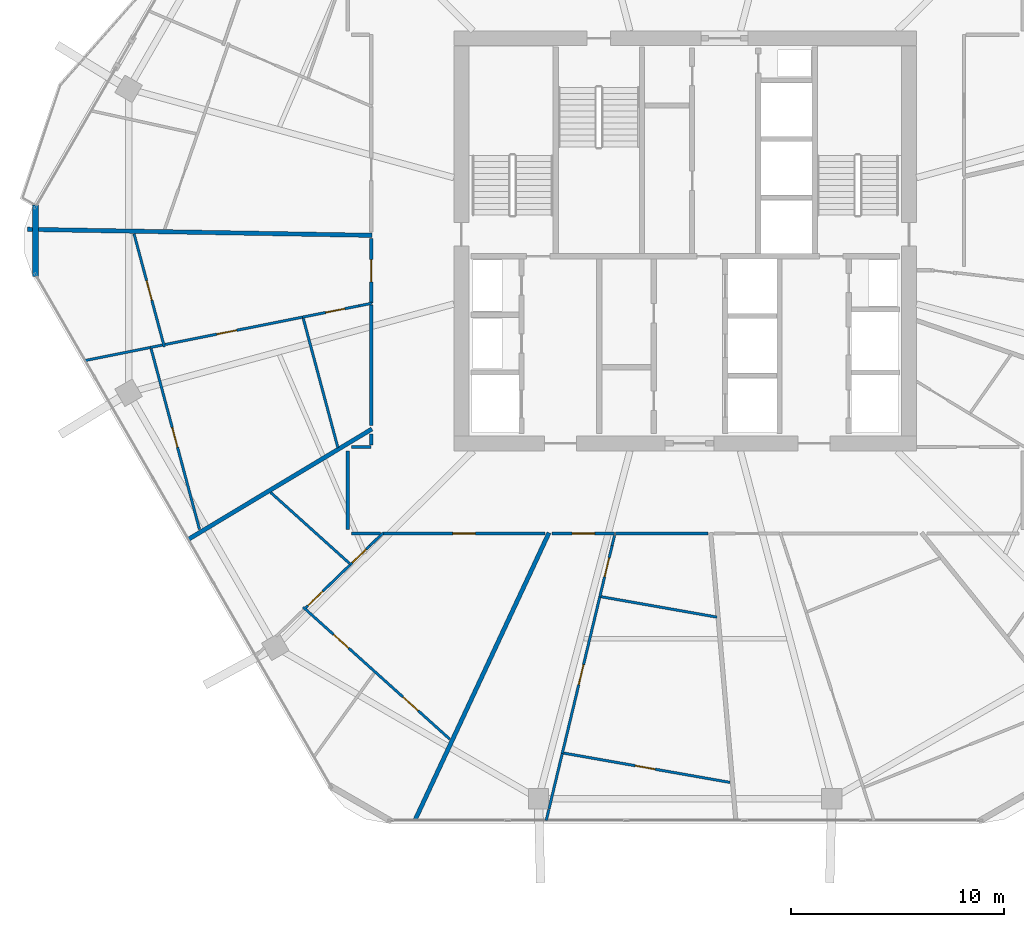
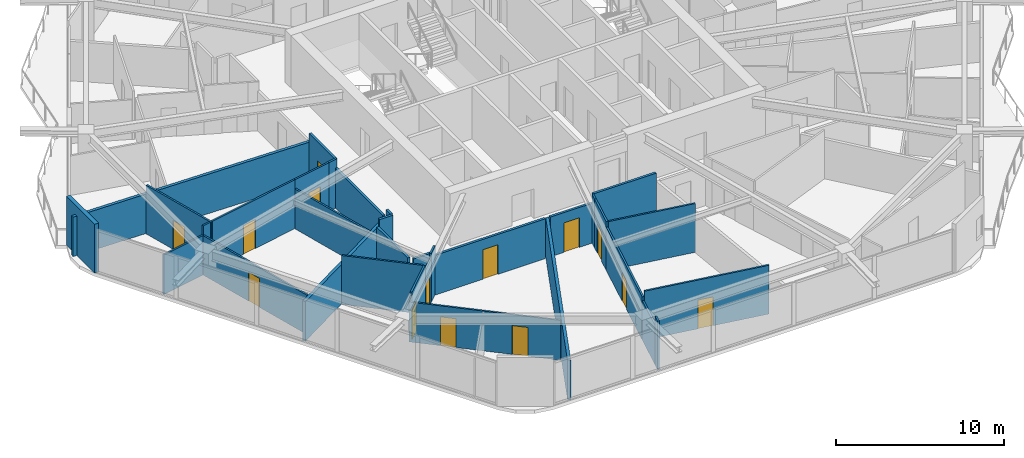
# One storey, part 17 of 26: 33 walls, 14 doors, 14 openings.
"""IFC4 building model written with IfcOpenShell, lengths in metres."""

from ifc_helpers import new_model, si_unit, direction, frame, frame_2d, origin, place, context, subcontext, project, spatial, rectangle, extrude, material, layer, layer_set, type_object, element, fill, save


model = new_model("IFC4")

# Units and contexts
model_context = context("Model", 3, precision=1e-05, world=origin(), true_north=direction((0.0, 1.0)))
body_context = subcontext(model_context, "Body", "Model", "MODEL_VIEW")
ifc_project = project(units=[si_unit("LENGTHUNIT", "METRE"), si_unit("AREAUNIT", "SQUARE_METRE"), si_unit("VOLUMEUNIT", "CUBIC_METRE"), si_unit("PLANEANGLEUNIT", "RADIAN"), si_unit("MASSUNIT", "GRAM", prefix="KILO")], contexts=[model_context])

# Site, building, storey
site_placement = place(None, origin())
site = spatial("IfcSite", under=ifc_project, at=site_placement, CompositionType="ELEMENT")
building_placement = place(site_placement, origin())
building = spatial("IfcBuilding", under=site, at=building_placement, Name="Zuhravey Tower", CompositionType="ELEMENT")
storey_placement = place(building_placement, frame((0.0, 0.0, 211.199951171875)))
storey = spatial("IfcBuildingStorey", under=building, at=storey_placement, Name="L53", CompositionType="ELEMENT", Elevation=211.199951171875)

# Wall, opening, door
ifc_material_1 = material(Name="Gypsum fire-rated stud partition")
ifc_layer_1 = layer(ifc_material_1, 0.159912109375)
ifc_layer_set_1 = layer_set([ifc_layer_1], Name="Gypsum fire-rated stud partition")
wall_type_1 = type_object("IfcWallType", Name="Corridor Fire Partition 160", PredefinedType="PARTITIONING", material=ifc_layer_set_1)
wall_1_placement = place(storey_placement, frame((21.27001953125, 32.1083984375, 0.0), z_axis=(0.0, 0.0, 1.0), x_axis=(0.0, -1.0, 0.0)))
wall_1 = element("IfcWall", 1, at=wall_1_placement, inside=storey, type_object=wall_type_1, Name="L53 IW16 Partition 046", PredefinedType="PARTITIONING", context=body_context, shape_type="SweptSolid", body=[
    extrude(rectangle(XDim=3.02587890625, YDim=0.159912109375, at=frame_2d((1.512939453125, 0.0))), origin(), (0.0, 0.0, 1.0), 3.550048828125),
])
opening_1_placement = place(wall_1_placement, frame((0.988037109375, 0.0, 0.0)))
opening_1 = element("IfcOpeningElement", 2, at=opening_1_placement, cuts=wall_1, Name="Opening APD1", PredefinedType="OPENING", context=body_context, shape_type="SweptSolid", body=[
    extrude(rectangle(XDim=1.050048828125, YDim=2.14990234375, at=frame_2d((0.52490234375, 1.074951171875))), frame((0.0, 0.092041015625, 0.0), z_axis=(0.0, -1.0, 0.0), x_axis=(1.0, 0.0, 0.0)), (0.0, 0.0, 1.0), 0.183837890625),
])
ifc_material_2 = material(Name="Solid-core oak fire-rated leaf")
door_type_1 = type_object("IfcDoorType", Name="Apartment Entrance Fire Door 1050x2150", OperationType="NOTDEFINED", PredefinedType="DOOR", material=ifc_material_2)
door_1_placement = place(opening_1_placement, frame((1.050048828125, 0.0, 0.0), z_axis=(0.0, 0.0, 1.0), x_axis=(-1.0, 0.0, 0.0)))
door_1 = element("IfcDoor", 3, at=door_1_placement, inside=storey, type_object=door_type_1, Name="L53 Door 046.1", OperationType="SINGLE_SWING_RIGHT", OverallHeight=2.14990234375, OverallWidth=1.050048828125, PredefinedType="DOOR", context=body_context, shape_type="SweptSolid", body=[
    extrude(rectangle(XDim=1.050048828125, YDim=2.14990234375, at=frame_2d((0.52490234375, 1.074951171875))), frame((0.0, 0.02490234375, 0.0), z_axis=(0.0, -1.0, 0.0), x_axis=(1.0, 0.0, 0.0)), (0.0, 0.0, 1.0), 0.050048828125),
])
fill(opening_1, door_1)

wall_2_placement = place(storey_placement, frame((21.830810546875, 18.27001953125, 0.0), z_axis=(0.0, 0.0, 1.0), x_axis=(1.0, 0.0, 0.0)))
wall_2 = element("IfcWall", 4, at=wall_2_placement, inside=storey, type_object=wall_type_1, Name="L53 IW16 Partition 051", PredefinedType="PARTITIONING", context=body_context, shape_type="SweptSolid", body=[
    extrude(rectangle(XDim=7.59814453125, YDim=0.159912109375, at=frame_2d((3.799072265625, 0.0))), origin(), (0.0, 0.0, 1.0), 2.900146484375),
])
opening_2_placement = place(wall_2_placement, frame((3.274169921875, 0.0, 0.0)))
opening_2 = element("IfcOpeningElement", 5, at=opening_2_placement, cuts=wall_2, Name="Opening APD1", PredefinedType="OPENING", context=body_context, shape_type="SweptSolid", body=[
    extrude(rectangle(XDim=1.050048828125, YDim=2.14990234375, at=frame_2d((0.52490234375, 1.074951171875))), frame((0.0, 0.092041015625, 0.0), z_axis=(0.0, -1.0, 0.0), x_axis=(1.0, 0.0, 0.0)), (0.0, 0.0, 1.0), 0.183837890625),
])
door_2_placement = place(opening_2_placement, frame((1.050048828125, 0.0, 0.0), z_axis=(0.0, 0.0, 1.0), x_axis=(-1.0, 0.0, 0.0)))
door_2 = element("IfcDoor", 6, at=door_2_placement, inside=storey, type_object=door_type_1, Name="L53 Door 051.1", OperationType="SINGLE_SWING_LEFT", OverallHeight=2.14990234375, OverallWidth=1.050048828125, PredefinedType="DOOR", context=body_context, shape_type="SweptSolid", body=[
    extrude(rectangle(XDim=1.050048828125, YDim=2.14990234375, at=frame_2d((0.52490234375, 1.074951171875))), frame((0.0, 0.02490234375, 0.0), z_axis=(0.0, -1.0, 0.0), x_axis=(1.0, 0.0, 0.0)), (0.0, 0.0, 1.0), 0.050048828125),
])
fill(opening_2, door_2)

wall_3_placement = place(storey_placement, frame((29.764892578125, 18.27001953125, 0.0), z_axis=(0.0, 0.0, 1.0), x_axis=(1.0, 0.0, 0.0)))
wall_3 = element("IfcWall", 7, at=wall_3_placement, inside=storey, type_object=wall_type_1, Name="L53 IW16 Partition 055", PredefinedType="PARTITIONING", context=body_context, shape_type="SweptSolid", body=[
    extrude(rectangle(XDim=2.92333984375, YDim=0.159912109375, at=frame_2d((1.461669921875, 0.0))), origin(), (0.0, 0.0, 1.0), 2.900146484375),
])
opening_3_placement = place(wall_3_placement, frame((0.936767578125, 0.0, 0.0)))
opening_3 = element("IfcOpeningElement", 8, at=opening_3_placement, cuts=wall_3, Name="Opening APD1", PredefinedType="OPENING", context=body_context, shape_type="SweptSolid", body=[
    extrude(rectangle(XDim=1.050048828125, YDim=2.14990234375, at=frame_2d((0.52490234375, 1.074951171875))), frame((0.0, 0.092041015625, 0.0), z_axis=(0.0, -1.0, 0.0), x_axis=(1.0, 0.0, 0.0)), (0.0, 0.0, 1.0), 0.183837890625),
])
door_3_placement = place(opening_3_placement, frame((1.050048828125, 0.0, 0.0), z_axis=(0.0, 0.0, 1.0), x_axis=(-1.0, 0.0, 0.0)))
door_3 = element("IfcDoor", 9, at=door_3_placement, inside=storey, type_object=door_type_1, Name="L53 Door 055.1", OperationType="SINGLE_SWING_LEFT", OverallHeight=2.14990234375, OverallWidth=1.050048828125, PredefinedType="DOOR", context=body_context, shape_type="SweptSolid", body=[
    extrude(rectangle(XDim=1.050048828125, YDim=2.14990234375, at=frame_2d((0.52490234375, 1.074951171875))), frame((0.0, 0.02490234375, 0.0), z_axis=(0.0, -1.0, 0.0), x_axis=(1.0, 0.0, 0.0)), (0.0, 0.0, 1.0), 0.050048828125),
])
fill(opening_3, door_3)

# Walls
wall_4_placement = place(storey_placement, frame((21.27001953125, 28.99267578125, 0.0), z_axis=(0.0, 0.0, 1.0), x_axis=(0.0, -1.0, 0.0)))
element("IfcWall", 10, at=wall_4_placement, inside=storey, type_object=wall_type_1, Name="L53 IW16 Partition 129", PredefinedType="PARTITIONING", context=body_context, shape_type="SweptSolid", body=[
    extrude(rectangle(XDim=5.64599609375, YDim=0.159912109375, at=frame_2d((2.822998046875, 0.0))), origin(), (0.0, 0.0, 1.0), 2.900146484375),
])
wall_5_placement = place(storey_placement, frame((20.169921875, 22.14990234375, 0.0), z_axis=(0.0, 0.0, 1.0), x_axis=(0.0, -1.0, 0.0)))
element("IfcWall", 11, at=wall_5_placement, inside=storey, type_object=wall_type_1, Name="L53 IW16 Partition 130", PredefinedType="PARTITIONING", context=body_context, shape_type="SweptSolid", body=[
    extrude(rectangle(XDim=3.699951171875, YDim=0.159912109375, at=frame_2d((1.85009765625, 0.0))), origin(), (0.0, 0.0, 1.0), 3.150146484375),
])
wall_6_placement = place(storey_placement, frame((20.35009765625, 18.27001953125, 0.0), z_axis=(0.0, 0.0, 1.0), x_axis=(1.0, 0.0, 0.0)))
element("IfcWall", 12, at=wall_6_placement, inside=storey, type_object=wall_type_1, Name="L53 IW16 Partition 131", PredefinedType="PARTITIONING", context=body_context, shape_type="SweptSolid", body=[
    extrude(rectangle(XDim=1.35400390625, YDim=0.159912109375, at=frame_2d((0.677001953125, 0.0))), origin(), (0.0, 0.0, 1.0), 3.150146484375),
])
wall_7_placement = place(storey_placement, frame((21.27001953125, 22.330078125, 0.0), z_axis=(0.0, 0.0, 1.0), x_axis=(-1.0, 0.0, 0.0)))
element("IfcWall", 13, at=wall_7_placement, inside=storey, type_object=wall_type_1, Name="L53 IW16 Partition 132", PredefinedType="PARTITIONING", context=body_context, shape_type="SweptSolid", body=[
    extrude(rectangle(XDim=0.919921875, YDim=0.159912109375, at=frame_2d((0.4599609375, 0.0))), origin(), (0.0, 0.0, 1.0), 3.550048828125),
])
wall_8_placement = place(storey_placement, frame((21.27001953125, 22.949951171875, 0.0), z_axis=(0.0, 0.0, 1.0), x_axis=(0.0, -1.0, 0.0)))
element("IfcWall", 14, at=wall_8_placement, inside=storey, type_object=wall_type_1, Name="L53 IW16 Partition 133", PredefinedType="PARTITIONING", context=body_context, shape_type="SweptSolid", body=[
    extrude(rectangle(XDim=0.531982421875, YDim=0.159912109375, at=frame_2d((0.26611328125, 0.0))), origin(), (0.0, 0.0, 1.0), 3.550048828125),
])
wall_9_placement = place(storey_placement, frame((32.7294921875, 18.27001953125, 0.0), z_axis=(0.0, 0.0, 1.0), x_axis=(1.0, 0.0, 0.0)))
element("IfcWall", 15, at=wall_9_placement, inside=storey, type_object=wall_type_1, Name="L53 IW16 Partition 134", PredefinedType="PARTITIONING", context=body_context, shape_type="SweptSolid", body=[
    extrude(rectangle(XDim=4.3310546875, YDim=0.159912109375, at=frame_2d((2.16552734375, 0.0))), origin(), (0.0, 0.0, 1.0), 3.550048828125),
])
ifc_material_3 = material(Name="Precast concrete C40/50", Category="concrete")
ifc_layer_2 = layer(ifc_material_3, 0.280029296875)
ifc_layer_set_2 = layer_set([ifc_layer_2], Name="Precast concrete C40/50")
wall_type_2 = type_object("IfcWallType", Name="Crown Architectural Wall 280", PredefinedType="SOLIDWALL", material=ifc_layer_set_2)
wall_10_placement = place(storey_placement, frame((5.5283203125, 30.3173828125, 0.0), z_axis=(0.0, 0.0, 1.0), x_axis=(0.0, 1.0, 0.0)))
element("IfcWall", 16, at=wall_10_placement, inside=storey, type_object=wall_type_2, Name="L53 Rounded Corner Closure Wall EW28-06", PredefinedType="SOLIDWALL", context=body_context, shape_type="SweptSolid", body=[
    extrude(rectangle(XDim=3.365234375, YDim=0.280029296875, at=frame_2d((1.6826171875, 0.0))), origin(), (0.0, 0.0, 1.0), 3.550048828125),
])
ifc_material_4 = material(Name="Gypsum double-stud party assembly")
ifc_layer_3 = layer(ifc_material_4, 0.199951171875)
ifc_layer_set_3 = layer_set([ifc_layer_3], Name="Gypsum double-stud party assembly")
wall_type_3 = type_object("IfcWallType", Name="Inter-Tenancy Party Wall 200", PredefinedType="PARTITIONING", material=ifc_layer_set_3)
wall_11_placement = place(storey_placement, frame((21.31005859375, 32.25634765625, 0.0), z_axis=(0.0, 0.0, 1.0), x_axis=(-0.999847675861, 0.017453511821, 0.0)))
element("IfcWall", 17, at=wall_11_placement, inside=storey, type_object=wall_type_3, Name="L53 IW20 Partition 095", PredefinedType="PARTITIONING", context=body_context, shape_type="SweptSolid", body=[
    extrude(rectangle(XDim=16.170166015625, YDim=0.199951171875, at=frame_2d((8.0849609375, 0.0))), origin(), (0.0, 0.0, 1.0), 2.8701171875),
])
wall_12_placement = place(storey_placement, frame((21.31005859375, 23.17333984375, 0.0), z_axis=(0.0, 0.0, 1.0), x_axis=(-0.857169072729, -0.515035125751, 0.0)))
element("IfcWall", 18, at=wall_12_placement, inside=storey, type_object=wall_type_3, Name="L53 IW20 Partition 099", PredefinedType="PARTITIONING", context=body_context, shape_type="SweptSolid", body=[
    extrude(rectangle(XDim=10.04931640625, YDim=0.199951171875, at=frame_2d((5.024658203125, 0.0))), origin(), (0.0, 0.0, 1.0), 2.8701171875),
])
wall_13_placement = place(storey_placement, frame((29.6162109375, 18.31005859375, 0.0), z_axis=(0.0, 0.0, 1.0), x_axis=(-0.422619721154, -0.9063071065, 0.0)))
element("IfcWall", 19, at=wall_13_placement, inside=storey, type_object=wall_type_3, Name="L53 IW20 Partition 104", PredefinedType="PARTITIONING", context=body_context, shape_type="SweptSolid", body=[
    extrude(rectangle(XDim=14.88818359375, YDim=0.199951171875, at=frame_2d((7.444091796875, 0.0))), origin(), (0.0, 0.0, 1.0), 2.8701171875),
])

# Wall, opening, door
ifc_material_5 = material(Name="Gypsum metal-stud partition")
ifc_layer_4 = layer(ifc_material_5, 0.1201171875)
ifc_layer_set_4 = layer_set([ifc_layer_4], Name="Gypsum metal-stud partition")
wall_type_4 = type_object("IfcWallType", Name="Unit Internal Partition 120", PredefinedType="PARTITIONING", material=ifc_layer_set_4)
wall_14_placement = place(storey_placement, frame((10.149169921875, 32.32568359375, 0.0), z_axis=(0.0, 0.0, 1.0), x_axis=(0.258800576513, -0.965930774743, 0.0)))
wall_14 = element("IfcWall", 20, at=wall_14_placement, inside=storey, type_object=wall_type_4, Name="L53 IW12 Partition 041", PredefinedType="PARTITIONING", context=body_context, shape_type="SweptSolid", body=[
    extrude(rectangle(XDim=5.487548828125, YDim=0.1201171875, at=frame_2d((2.74365234375, 0.0))), origin(), (0.0, 0.0, 1.0), 3.550048828125),
])
opening_4_placement = place(wall_14_placement, frame((2.268798828125, 0.0, 0.0)))
opening_4 = element("IfcOpeningElement", 21, at=opening_4_placement, cuts=wall_14, Name="Opening IND1", PredefinedType="OPENING", context=body_context, shape_type="SweptSolid", body=[
    extrude(rectangle(XDim=0.949951171875, YDim=2.10009765625, at=frame_2d((0.47509765625, 1.050048828125))), frame((0.0, 0.072021484375, 0.0), z_axis=(0.0, -1.0, 0.0), x_axis=(1.0, 0.0, 0.0)), (0.0, 0.0, 1.0), 0.14404296875),
])
ifc_material_6 = material(Name="Painted engineered timber leaf", Category="wood")
door_type_2 = type_object("IfcDoorType", Name="Internal Room & Bedroom Door 950x2100", OperationType="NOTDEFINED", PredefinedType="DOOR", material=ifc_material_6)
door_4_placement = place(opening_4_placement, frame((0.949951171875, 0.0, 0.0), z_axis=(0.0, 0.0, 1.0), x_axis=(-1.0, 0.0, 0.0)))
door_4 = element("IfcDoor", 22, at=door_4_placement, inside=storey, type_object=door_type_2, Name="Apartment L53-05 Family Study Door", OperationType="SINGLE_SWING_RIGHT", OverallHeight=2.10009765625, OverallWidth=0.949951171875, PredefinedType="DOOR", context=body_context, shape_type="SweptSolid", body=[
    extrude(rectangle(XDim=0.949951171875, YDim=2.10009765625, at=frame_2d((0.47509765625, 1.050048828125))), frame((0.0, 0.02490234375, 0.0), z_axis=(0.0, -1.0, 0.0), x_axis=(1.0, 0.0, 0.0)), (0.0, 0.0, 1.0), 0.050048828125),
])
fill(opening_4, door_4)

wall_15_placement = place(storey_placement, frame((20.699951171875, 28.9482421875, 0.0), z_axis=(0.0, 0.0, 1.0), x_axis=(-0.980691538162, -0.19556100577, 0.0)))
wall_15 = element("IfcWall", 23, at=wall_15_placement, inside=storey, type_object=wall_type_4, Name="L53 IW12 Partition 042", PredefinedType="PARTITIONING", context=body_context, shape_type="SweptSolid", body=[
    extrude(rectangle(XDim=2.70654296875, YDim=0.1201171875, at=frame_2d((1.353271484375, 0.0))), origin(), (0.0, 0.0, 1.0), 3.550048828125),
])
opening_5_placement = place(wall_15_placement, frame((0.686767578125, 0.0, 0.0)))
opening_5 = element("IfcOpeningElement", 24, at=opening_5_placement, cuts=wall_15, Name="Opening WCD1", PredefinedType="OPENING", context=body_context, shape_type="SweptSolid", body=[
    extrude(rectangle(XDim=0.89990234375, YDim=2.10009765625, at=frame_2d((0.449951171875, 1.050048828125))), frame((0.0, 0.072021484375, 0.0), z_axis=(0.0, -1.0, 0.0), x_axis=(1.0, 0.0, 0.0)), (0.0, 0.0, 1.0), 0.14404296875),
])
ifc_material_7 = material(Name="Moisture-resistant timber leaf", Category="wood")
door_type_3 = type_object("IfcDoorType", Name="Bathroom & WC Internal Door 900x2100", OperationType="NOTDEFINED", PredefinedType="DOOR", material=ifc_material_7)
door_5_placement = place(opening_5_placement, origin())
door_5 = element("IfcDoor", 25, at=door_5_placement, inside=storey, type_object=door_type_3, Name="Apartment L53-05 Bathroom Door", OperationType="SINGLE_SWING_LEFT", OverallHeight=2.10009765625, OverallWidth=0.89990234375, PredefinedType="DOOR", context=body_context, shape_type="SweptSolid", body=[
    extrude(rectangle(XDim=0.89990234375, YDim=2.10009765625, at=frame_2d((0.449951171875, 1.050048828125))), frame((0.0, 0.02490234375, 0.0), z_axis=(0.0, -1.0, 0.0), x_axis=(1.0, 0.0, 0.0)), (0.0, 0.0, 1.0), 0.050048828125),
])
fill(opening_5, door_5)

wall_16_placement = place(storey_placement, frame((18.045654296875, 28.4189453125, 0.0), z_axis=(0.0, 0.0, 1.0), x_axis=(-0.980686423889, -0.195586650874, 0.0)))
wall_16 = element("IfcWall", 26, at=wall_16_placement, inside=storey, type_object=wall_type_4, Name="L53 IW12 Partition 043", PredefinedType="PARTITIONING", context=body_context, shape_type="SweptSolid", body=[
    extrude(rectangle(XDim=6.56201171875, YDim=0.1201171875, at=frame_2d((3.281005859375, 0.0))), origin(), (0.0, 0.0, 1.0), 3.550048828125),
])
opening_6_placement = place(wall_16_placement, frame((3.138916015625, 0.0, 0.0)))
opening_6 = element("IfcOpeningElement", 27, at=opening_6_placement, cuts=wall_16, Name="Opening IND1", PredefinedType="OPENING", context=body_context, shape_type="SweptSolid", body=[
    extrude(rectangle(XDim=0.949951171875, YDim=2.10009765625, at=frame_2d((0.47509765625, 1.050048828125))), frame((0.0, 0.072021484375, 0.0), z_axis=(0.0, -1.0, 0.0), x_axis=(1.0, 0.0, 0.0)), (0.0, 0.0, 1.0), 0.14404296875),
])
door_6_placement = place(opening_6_placement, origin())
door_6 = element("IfcDoor", 28, at=door_6_placement, inside=storey, type_object=door_type_2, Name="Apartment L53-05 Home Office Door", OperationType="SINGLE_SWING_RIGHT", OverallHeight=2.10009765625, OverallWidth=0.949951171875, PredefinedType="DOOR", context=body_context, shape_type="SweptSolid", body=[
    extrude(rectangle(XDim=0.949951171875, YDim=2.10009765625, at=frame_2d((0.47509765625, 1.050048828125))), frame((0.0, 0.02490234375, 0.0), z_axis=(0.0, -1.0, 0.0), x_axis=(1.0, 0.0, 0.0)), (0.0, 0.0, 1.0), 0.050048828125),
])
fill(opening_6, door_6)

# Wall
wall_17_placement = place(storey_placement, frame((11.4765625, 27.108642578125, 0.0), z_axis=(0.0, 0.0, 1.0), x_axis=(-0.980710082195, -0.195467988891, 0.0)))
element("IfcWall", 29, at=wall_17_placement, inside=storey, type_object=wall_type_4, Name="L53 IW12 Partition 044", PredefinedType="PARTITIONING", context=body_context, shape_type="SweptSolid", body=[
    extrude(rectangle(XDim=0.57958984375, YDim=0.1201171875, at=frame_2d((0.289794921875, 0.0))), origin(), (0.0, 0.0, 1.0), 3.550048828125),
])

# Wall, opening, door
wall_18_placement = place(storey_placement, frame((10.9501953125, 26.934326171875, 0.0), z_axis=(0.0, 0.0, 1.0), x_axis=(0.258814953738, -0.965926922558, 0.0)))
wall_18 = element("IfcWall", 30, at=wall_18_placement, inside=storey, type_object=wall_type_4, Name="L53 IW12 Partition 045", PredefinedType="PARTITIONING", context=body_context, shape_type="SweptSolid", body=[
    extrude(rectangle(XDim=8.76806640625, YDim=0.1201171875, at=frame_2d((4.384033203125, 0.0))), origin(), (0.0, 0.0, 1.0), 2.8701171875),
])
opening_7_placement = place(wall_18_placement, frame((3.82470703125, 0.0, 0.0)))
opening_7 = element("IfcOpeningElement", 31, at=opening_7_placement, cuts=wall_18, Name="Opening IND1", PredefinedType="OPENING", context=body_context, shape_type="SweptSolid", body=[
    extrude(rectangle(XDim=0.949951171875, YDim=2.10009765625, at=frame_2d((0.47509765625, 1.050048828125))), frame((0.0, 0.072021484375, 0.0), z_axis=(0.0, -1.0, 0.0), x_axis=(1.0, 0.0, 0.0)), (0.0, 0.0, 1.0), 0.14404296875),
])
door_7_placement = place(opening_7_placement, frame((0.949951171875, 0.0, 0.0), z_axis=(0.0, 0.0, 1.0), x_axis=(-1.0, 0.0, 0.0)))
door_7 = element("IfcDoor", 32, at=door_7_placement, inside=storey, type_object=door_type_2, Name="Apartment L53-05 Kitchen Door", OperationType="SINGLE_SWING_LEFT", OverallHeight=2.10009765625, OverallWidth=0.949951171875, PredefinedType="DOOR", context=body_context, shape_type="SweptSolid", body=[
    extrude(rectangle(XDim=0.949951171875, YDim=2.10009765625, at=frame_2d((0.47509765625, 1.050048828125))), frame((0.0, 0.02490234375, 0.0), z_axis=(0.0, -1.0, 0.0), x_axis=(1.0, 0.0, 0.0)), (0.0, 0.0, 1.0), 0.050048828125),
])
fill(opening_7, door_7)

# Wall, openings, doors
wall_19_placement = place(storey_placement, frame((18.08447265625, 14.81396484375, 0.0), z_axis=(0.0, 0.0, 1.0), x_axis=(0.743144556546, -0.669130905037, 0.0)))
wall_19 = element("IfcWall", 33, at=wall_19_placement, inside=storey, type_object=wall_type_4, Name="L53 IW12 Partition 047", PredefinedType="PARTITIONING", context=body_context, shape_type="SweptSolid", body=[
    extrude(rectangle(XDim=9.25244140625, YDim=0.1201171875, at=frame_2d((4.626220703125, 0.0))), origin(), (0.0, 0.0, 1.0), 2.900146484375),
])
opening_8_placement = place(wall_19_placement, frame((1.9130859375, 0.0, 0.0)))
opening_8 = element("IfcOpeningElement", 34, at=opening_8_placement, cuts=wall_19, Name="Opening IND1", PredefinedType="OPENING", context=body_context, shape_type="SweptSolid", body=[
    extrude(rectangle(XDim=0.949951171875, YDim=2.10009765625, at=frame_2d((0.47509765625, 1.050048828125))), frame((0.0, 0.072021484375, 0.0), z_axis=(0.0, -1.0, 0.0), x_axis=(1.0, 0.0, 0.0)), (0.0, 0.0, 1.0), 0.14404296875),
])
opening_9_placement = place(wall_19_placement, frame((6.298583984375, 0.0, 0.0)))
opening_9 = element("IfcOpeningElement", 35, at=opening_9_placement, cuts=wall_19, Name="Opening IND1", PredefinedType="OPENING", context=body_context, shape_type="SweptSolid", body=[
    extrude(rectangle(XDim=0.949951171875, YDim=2.10009765625, at=frame_2d((0.47509765625, 1.050048828125))), frame((0.0, 0.072021484375, 0.0), z_axis=(0.0, -1.0, 0.0), x_axis=(1.0, 0.0, 0.0)), (0.0, 0.0, 1.0), 0.14404296875),
])
door_8_placement = place(opening_8_placement, frame((0.949951171875, 0.0, 0.0), z_axis=(0.0, 0.0, 1.0), x_axis=(-1.0, 0.0, 0.0)))
door_8 = element("IfcDoor", 36, at=door_8_placement, inside=storey, type_object=door_type_2, Name="Apartment L53-06 Family Study Door", OperationType="SINGLE_SWING_LEFT", OverallHeight=2.10009765625, OverallWidth=0.949951171875, PredefinedType="DOOR", context=body_context, shape_type="SweptSolid", body=[
    extrude(rectangle(XDim=0.949951171875, YDim=2.10009765625, at=frame_2d((0.47509765625, 1.050048828125))), frame((0.0, 0.02490234375, 0.0), z_axis=(0.0, -1.0, 0.0), x_axis=(1.0, 0.0, 0.0)), (0.0, 0.0, 1.0), 0.050048828125),
])
fill(opening_8, door_8)
door_9_placement = place(opening_9_placement, frame((0.949951171875, 0.0, 0.0), z_axis=(0.0, 0.0, 1.0), x_axis=(-1.0, 0.0, 0.0)))
door_9 = element("IfcDoor", 37, at=door_9_placement, inside=storey, type_object=door_type_2, Name="Apartment L53-06 Dining Room Door", OperationType="SINGLE_SWING_RIGHT", OverallHeight=2.10009765625, OverallWidth=0.949951171875, PredefinedType="DOOR", context=body_context, shape_type="SweptSolid", body=[
    extrude(rectangle(XDim=0.949951171875, YDim=2.10009765625, at=frame_2d((0.47509765625, 1.050048828125))), frame((0.0, 0.02490234375, 0.0), z_axis=(0.0, -1.0, 0.0), x_axis=(1.0, 0.0, 0.0)), (0.0, 0.0, 1.0), 0.050048828125),
])
fill(opening_9, door_9)

# Wall, opening, door
wall_20_placement = place(storey_placement, frame((21.212646484375, 17.699951171875, 0.0), z_axis=(0.0, 0.0, 1.0), x_axis=(-0.718947330121, -0.695064555643, 0.0)))
wall_20 = element("IfcWall", 38, at=wall_20_placement, inside=storey, type_object=wall_type_4, Name="L53 IW12 Partition 048", PredefinedType="PARTITIONING", context=body_context, shape_type="SweptSolid", body=[
    extrude(rectangle(XDim=1.2880859375, YDim=0.1201171875, at=frame_2d((0.64404296875, 0.0))), origin(), (0.0, 0.0, 1.0), 3.150146484375),
])
opening_10_placement = place(wall_20_placement, frame((0.248046875, 0.0, 0.0)))
opening_10 = element("IfcOpeningElement", 39, at=opening_10_placement, cuts=wall_20, Name="Opening WCD1", PredefinedType="OPENING", context=body_context, shape_type="SweptSolid", body=[
    extrude(rectangle(XDim=0.89990234375, YDim=2.10009765625, at=frame_2d((0.449951171875, 1.050048828125))), frame((0.0, 0.072021484375, 0.0), z_axis=(0.0, -1.0, 0.0), x_axis=(1.0, 0.0, 0.0)), (0.0, 0.0, 1.0), 0.14404296875),
])
door_10_placement = place(opening_10_placement, frame((0.89990234375, 0.0, 0.0), z_axis=(0.0, 0.0, 1.0), x_axis=(-1.0, 0.0, 0.0)))
door_10 = element("IfcDoor", 40, at=door_10_placement, inside=storey, type_object=door_type_3, Name="Apartment L53-06 Bathroom Door", OperationType="SINGLE_SWING_LEFT", OverallHeight=2.10009765625, OverallWidth=0.89990234375, PredefinedType="DOOR", context=body_context, shape_type="SweptSolid", body=[
    extrude(rectangle(XDim=0.89990234375, YDim=2.10009765625, at=frame_2d((0.449951171875, 1.050048828125))), frame((0.0, 0.02490234375, 0.0), z_axis=(0.0, -1.0, 0.0), x_axis=(1.0, 0.0, 0.0)), (0.0, 0.0, 1.0), 0.050048828125),
])
fill(opening_10, door_10)

wall_21_placement = place(storey_placement, frame((20.28662109375, 16.8046875, 0.0), z_axis=(0.0, 0.0, 1.0), x_axis=(-0.718785844337, -0.695231551341, 0.0)))
wall_21 = element("IfcWall", 41, at=wall_21_placement, inside=storey, type_object=wall_type_4, Name="L53 IW12 Partition 049", PredefinedType="PARTITIONING", context=body_context, shape_type="SweptSolid", body=[
    extrude(rectangle(XDim=2.891845703125, YDim=0.1201171875, at=frame_2d((1.44580078125, 0.0))), origin(), (0.0, 0.0, 1.0), 3.550048828125),
])
opening_11_placement = place(wall_21_placement, frame((1.8017578125, 0.0, 0.0)))
opening_11 = element("IfcOpeningElement", 42, at=opening_11_placement, cuts=wall_21, Name="Opening IND1", PredefinedType="OPENING", context=body_context, shape_type="SweptSolid", body=[
    extrude(rectangle(XDim=0.949951171875, YDim=2.10009765625, at=frame_2d((0.47509765625, 1.050048828125))), frame((0.0, 0.072021484375, 0.0), z_axis=(0.0, -1.0, 0.0), x_axis=(1.0, 0.0, 0.0)), (0.0, 0.0, 1.0), 0.14404296875),
])
door_11_placement = place(opening_11_placement, frame((0.949951171875, 0.0, 0.0), z_axis=(0.0, 0.0, 1.0), x_axis=(-1.0, 0.0, 0.0)))
door_11 = element("IfcDoor", 43, at=door_11_placement, inside=storey, type_object=door_type_2, Name="Apartment L53-06 Bedroom 1 Door", OperationType="SINGLE_SWING_RIGHT", OverallHeight=2.10009765625, OverallWidth=0.949951171875, PredefinedType="DOOR", context=body_context, shape_type="SweptSolid", body=[
    extrude(rectangle(XDim=0.949951171875, YDim=2.10009765625, at=frame_2d((0.47509765625, 1.050048828125))), frame((0.0, 0.02490234375, 0.0), z_axis=(0.0, -1.0, 0.0), x_axis=(1.0, 0.0, 0.0)), (0.0, 0.0, 1.0), 0.050048828125),
])
fill(opening_11, door_11)

wall_22_placement = place(storey_placement, frame((32.572265625, 17.699951171875, 0.0), z_axis=(0.0, 0.0, 1.0), x_axis=(-0.233175311753, -0.972434714512, 0.0)))
wall_22 = element("IfcWall", 44, at=wall_22_placement, inside=storey, type_object=wall_type_4, Name="L53 IW12 Partition 052", PredefinedType="PARTITIONING", context=body_context, shape_type="SweptSolid", body=[
    extrude(rectangle(XDim=2.476318359375, YDim=0.1201171875, at=frame_2d((1.23828125, 0.0))), origin(), (0.0, 0.0, 1.0), 3.550048828125),
])
opening_12_placement = place(wall_22_placement, frame((0.590087890625, 0.0, 0.0)))
opening_12 = element("IfcOpeningElement", 45, at=opening_12_placement, cuts=wall_22, Name="Opening WCD1", PredefinedType="OPENING", context=body_context, shape_type="SweptSolid", body=[
    extrude(rectangle(XDim=0.89990234375, YDim=2.10009765625, at=frame_2d((0.449951171875, 1.050048828125))), frame((0.0, 0.072021484375, 0.0), z_axis=(0.0, -1.0, 0.0), x_axis=(1.0, 0.0, 0.0)), (0.0, 0.0, 1.0), 0.14404296875),
])
door_12_placement = place(opening_12_placement, origin())
door_12 = element("IfcDoor", 46, at=door_12_placement, inside=storey, type_object=door_type_3, Name="Apartment L53-07 Bathroom Door", OperationType="SINGLE_SWING_RIGHT", OverallHeight=2.10009765625, OverallWidth=0.89990234375, PredefinedType="DOOR", context=body_context, shape_type="SweptSolid", body=[
    extrude(rectangle(XDim=0.89990234375, YDim=2.10009765625, at=frame_2d((0.449951171875, 1.050048828125))), frame((0.0, 0.02490234375, 0.0), z_axis=(0.0, -1.0, 0.0), x_axis=(1.0, 0.0, 0.0)), (0.0, 0.0, 1.0), 0.050048828125),
])
fill(opening_12, door_12)

wall_23_placement = place(storey_placement, frame((31.994873046875, 15.2919921875, 0.0), z_axis=(0.0, 0.0, 1.0), x_axis=(-0.233088957709, -0.972455416867, 0.0)))
wall_23 = element("IfcWall", 47, at=wall_23_placement, inside=storey, type_object=wall_type_4, Name="L53 IW12 Partition 053", PredefinedType="PARTITIONING", context=body_context, shape_type="SweptSolid", body=[
    extrude(rectangle(XDim=7.54345703125, YDim=0.1201171875, at=frame_2d((3.771728515625, 0.0))), origin(), (0.0, 0.0, 1.0), 3.150146484375),
])
opening_13_placement = place(wall_23_placement, frame((3.271484375, 0.0, 0.0)))
opening_13 = element("IfcOpeningElement", 48, at=opening_13_placement, cuts=wall_23, Name="Opening IND1", PredefinedType="OPENING", context=body_context, shape_type="SweptSolid", body=[
    extrude(rectangle(XDim=0.949951171875, YDim=2.10009765625, at=frame_2d((0.47509765625, 1.050048828125))), frame((0.0, 0.072021484375, 0.0), z_axis=(0.0, -1.0, 0.0), x_axis=(1.0, 0.0, 0.0)), (0.0, 0.0, 1.0), 0.14404296875),
])
door_13_placement = place(opening_13_placement, origin())
door_13 = element("IfcDoor", 49, at=door_13_placement, inside=storey, type_object=door_type_2, Name="Apartment L53-07 Home Office Door", OperationType="SINGLE_SWING_LEFT", OverallHeight=2.10009765625, OverallWidth=0.949951171875, PredefinedType="DOOR", context=body_context, shape_type="SweptSolid", body=[
    extrude(rectangle(XDim=0.949951171875, YDim=2.10009765625, at=frame_2d((0.47509765625, 1.050048828125))), frame((0.0, 0.02490234375, 0.0), z_axis=(0.0, -1.0, 0.0), x_axis=(1.0, 0.0, 0.0)), (0.0, 0.0, 1.0), 0.050048828125),
])
fill(opening_13, door_13)

wall_24_placement = place(storey_placement, frame((30.309326171875, 7.968994140625, 0.0), z_axis=(0.0, 0.0, 1.0), x_axis=(0.984804679172, -0.17366560938, 0.0)))
wall_24 = element("IfcWall", 50, at=wall_24_placement, inside=storey, type_object=wall_type_4, Name="L53 IW12 Partition 054", PredefinedType="PARTITIONING", context=body_context, shape_type="SweptSolid", body=[
    extrude(rectangle(XDim=7.910400390625, YDim=0.1201171875, at=frame_2d((3.955078125, 0.0))), origin(), (0.0, 0.0, 1.0), 3.550048828125),
])
opening_14_placement = place(wall_24_placement, frame((3.39599609375, 0.0, 0.0)))
opening_14 = element("IfcOpeningElement", 51, at=opening_14_placement, cuts=wall_24, Name="Opening IND1", PredefinedType="OPENING", context=body_context, shape_type="SweptSolid", body=[
    extrude(rectangle(XDim=0.949951171875, YDim=2.10009765625, at=frame_2d((0.47509765625, 1.050048828125))), frame((0.0, 0.072021484375, 0.0), z_axis=(0.0, -1.0, 0.0), x_axis=(1.0, 0.0, 0.0)), (0.0, 0.0, 1.0), 0.14404296875),
])
door_14_placement = place(opening_14_placement, frame((0.949951171875, 0.0, 0.0), z_axis=(0.0, 0.0, 1.0), x_axis=(-1.0, 0.0, 0.0)))
door_14 = element("IfcDoor", 52, at=door_14_placement, inside=storey, type_object=door_type_2, Name="Apartment L53-07 Kitchen Door", OperationType="SINGLE_SWING_RIGHT", OverallHeight=2.10009765625, OverallWidth=0.949951171875, PredefinedType="DOOR", context=body_context, shape_type="SweptSolid", body=[
    extrude(rectangle(XDim=0.949951171875, YDim=2.10009765625, at=frame_2d((0.47509765625, 1.050048828125))), frame((0.0, 0.02490234375, 0.0), z_axis=(0.0, -1.0, 0.0), x_axis=(1.0, 0.0, 0.0)), (0.0, 0.0, 1.0), 0.050048828125),
])
fill(opening_14, door_14)

# Walls
wall_25_placement = place(storey_placement, frame((21.314453125, 29.07080078125, 0.0), z_axis=(0.0, 0.0, 1.0), x_axis=(-0.980685434384, -0.195591612261, 0.0)))
element("IfcWall", 53, at=wall_25_placement, inside=storey, type_object=wall_type_4, Name="L53 IW12 Partition 096", PredefinedType="PARTITIONING", context=body_context, shape_type="SweptSolid", body=[
    extrude(rectangle(XDim=0.626708984375, YDim=0.1201171875, at=frame_2d((0.3134765625, 0.0))), origin(), (0.0, 0.0, 1.0), 3.550048828125),
])
wall_26_placement = place(storey_placement, frame((10.908203125, 26.9951171875, 0.0), z_axis=(0.0, 0.0, 1.0), x_axis=(-0.98068589365, -0.195589309516, 0.0)))
element("IfcWall", 54, at=wall_26_placement, inside=storey, type_object=wall_type_4, Name="L53 IW12 Partition 097", PredefinedType="PARTITIONING", context=body_context, shape_type="SweptSolid", body=[
    extrude(rectangle(XDim=3.119384765625, YDim=0.1201171875, at=frame_2d((1.5595703125, 0.0))), origin(), (0.0, 0.0, 1.0), 2.8701171875),
])
wall_27_placement = place(storey_placement, frame((18.087646484375, 28.35791015625, 0.0), z_axis=(0.0, 0.0, 1.0), x_axis=(0.258816385885, -0.96592653882, 0.0)))
element("IfcWall", 55, at=wall_27_placement, inside=storey, type_object=wall_type_4, Name="L53 IW12 Partition 098", PredefinedType="PARTITIONING", context=body_context, shape_type="SweptSolid", body=[
    extrude(rectangle(XDim=6.281494140625, YDim=0.1201171875, at=frame_2d((3.140625, 0.0))), origin(), (0.0, 0.0, 1.0), 2.900146484375),
])
wall_28_placement = place(storey_placement, frame((21.830810546875, 18.2978515625, 0.0), z_axis=(0.0, 0.0, 1.0), x_axis=(-0.718789743291, -0.695227520269, 0.0)))
element("IfcWall", 56, at=wall_28_placement, inside=storey, type_object=wall_type_4, Name="L53 IW12 Partition 101", PredefinedType="PARTITIONING", context=body_context, shape_type="SweptSolid", body=[
    extrude(rectangle(XDim=0.860107421875, YDim=0.1201171875, at=frame_2d((0.43017578125, 0.0))), origin(), (0.0, 0.0, 1.0), 3.550048828125),
])
wall_29_placement = place(storey_placement, frame((16.560302734375, 20.193603515625, 0.0), z_axis=(0.0, 0.0, 1.0), x_axis=(0.743147590053, -0.669127535974, 0.0)))
element("IfcWall", 57, at=wall_29_placement, inside=storey, type_object=wall_type_4, Name="L53 IW12 Partition 103", PredefinedType="PARTITIONING", context=body_context, shape_type="SweptSolid", body=[
    extrude(rectangle(XDim=4.970458984375, YDim=0.1201171875, at=frame_2d((2.4853515625, 0.0))), origin(), (0.0, 0.0, 1.0), 3.550048828125),
])
wall_30_placement = place(storey_placement, frame((32.687744140625, 18.181884765625, 0.0), z_axis=(0.0, 0.0, 1.0), x_axis=(-0.233018921574, -0.972472201242, 0.0)))
element("IfcWall", 58, at=wall_30_placement, inside=storey, type_object=wall_type_4, Name="L53 IW12 Partition 105", PredefinedType="PARTITIONING", context=body_context, shape_type="SweptSolid", body=[
    extrude(rectangle(XDim=0.49560546875, YDim=0.1201171875, at=frame_2d((0.247802734375, 0.0))), origin(), (0.0, 0.0, 1.0), 3.550048828125),
])
wall_31_placement = place(storey_placement, frame((30.236572265625, 7.956298828125, 0.0), z_axis=(0.0, 0.0, 1.0), x_axis=(-0.233117483648, -0.972448579009, 0.0)))
element("IfcWall", 59, at=wall_31_placement, inside=storey, type_object=wall_type_4, Name="L53 IW12 Partition 106", PredefinedType="PARTITIONING", context=body_context, shape_type="SweptSolid", body=[
    extrude(rectangle(XDim=2.6748046875, YDim=0.1201171875, at=frame_2d((1.33740234375, 0.0))), origin(), (0.0, 0.0, 1.0), 2.8701171875),
])
wall_32_placement = place(storey_placement, frame((29.607666015625, 5.3330078125, 0.0), z_axis=(0.0, 0.0, 1.0), x_axis=(-0.233079669616, -0.972457643094, 0.0)))
element("IfcWall", 60, at=wall_32_placement, inside=storey, type_object=wall_type_4, Name="L53 IW12 Partition 107", PredefinedType="PARTITIONING", context=body_context, shape_type="SweptSolid", body=[
    extrude(rectangle(XDim=0.53515625, YDim=0.1201171875, at=frame_2d((0.267578125, 0.0))), origin(), (0.0, 0.0, 1.0), 3.550048828125),
])
wall_33_placement = place(storey_placement, frame((32.06787109375, 15.304443359375, 0.0), z_axis=(0.0, 0.0, 1.0), x_axis=(0.984805426698, -0.173661370331, 0.0)))
element("IfcWall", 61, at=wall_33_placement, inside=storey, type_object=wall_type_4, Name="L53 IW12 Partition 108", PredefinedType="PARTITIONING", context=body_context, shape_type="SweptSolid", body=[
    extrude(rectangle(XDim=5.50537109375, YDim=0.1201171875, at=frame_2d((2.752685546875, 0.0))), origin(), (0.0, 0.0, 1.0), 3.550048828125),
])

save(model, "model.ifc")
